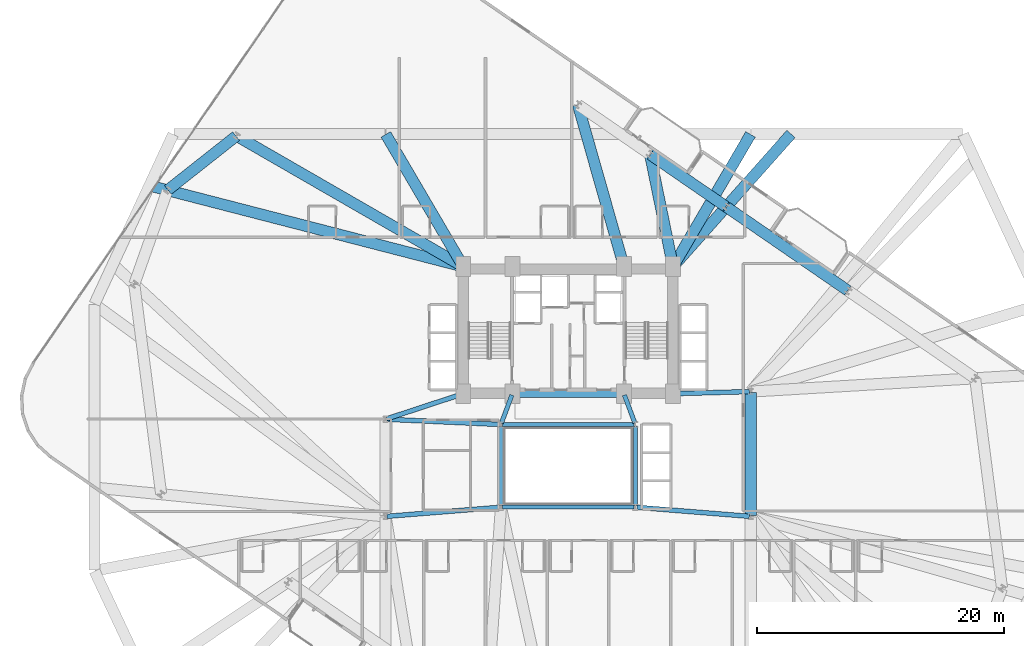
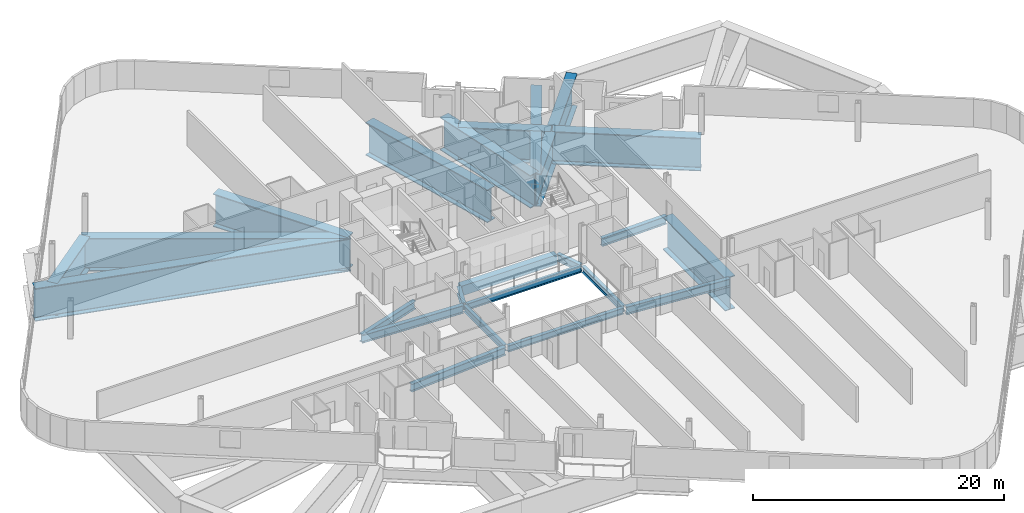
# One storey, part 5 of 26: 23 beams.
"""IFC4 building model written with IfcOpenShell, lengths in metres."""

from ifc_helpers import new_model, si_unit, direction, frame, origin, origin_2d, place, context, subcontext, project, spatial, rectangle, i_section, extrude, material, material_profile, profile_set, type_object, element, save


model = new_model("IFC4")

# Units and contexts
model_context = context("Model", 3, precision=1e-05, world=origin(), true_north=direction((0.0, 1.0)))
body_context = subcontext(model_context, "Body", "Model", "MODEL_VIEW")
ifc_project = project(units=[si_unit("LENGTHUNIT", "METRE"), si_unit("AREAUNIT", "SQUARE_METRE"), si_unit("VOLUMEUNIT", "CUBIC_METRE"), si_unit("PLANEANGLEUNIT", "RADIAN"), si_unit("MASSUNIT", "GRAM", prefix="KILO")], contexts=[model_context])

# Site, building, storey
site_placement = place(None, origin())
site = spatial("IfcSite", under=ifc_project, at=site_placement, CompositionType="ELEMENT")
building_placement = place(site_placement, origin())
building = spatial("IfcBuilding", under=site, at=building_placement, Name="Varnelok Gate Tower", CompositionType="ELEMENT")
storey_placement = place(building_placement, frame((0.0, 0.0, 27.0)))
storey = spatial("IfcBuildingStorey", under=building, at=storey_placement, Name="L05", CompositionType="ELEMENT", Elevation=27.0)

# Beams
ifc_material_1 = material(Name="Concrete C60/75", Category="concrete")
ifc_material_profile_1 = material_profile(ifc_material_1, rectangle(XDim=0.60009765625, YDim=0.949951171875, at=origin_2d()), Name="RC950X600")
ifc_profile_set_1 = profile_set([ifc_material_profile_1], Name="Concrete C60/75")
beam_type_1 = type_object("IfcBeamType", Name="BM-LNT-RC950", PredefinedType="LINTEL", material=ifc_profile_set_1)
beam_1_placement = place(storey_placement, frame((34.800048828125, 28.75, -0.72509765625), z_axis=(1.0, 0.0, 0.0), x_axis=(0.0, 1.0, 0.0)))
element("IfcBeam", 1, at=beam_1_placement, inside=storey, type_object=beam_type_1, Name="L05 Core-Atrium Spine Beam 7", PredefinedType="LINTEL", context=body_context, shape_type="SweptSolid", body=[
    extrude(rectangle(XDim=0.60009765625, YDim=0.949951171875, at=origin_2d()), origin(), (0.0, 0.0, 1.0), 8.800048828125),
])
ifc_material_2 = material(Name="Structural Steel ASTM A992 Grade 50", Category="steel")
ifc_material_profile_2 = material_profile(ifc_material_2, i_section(OverallWidth=0.35498046875, OverallDepth=0.696044921875, WebThickness=0.015380859375, FlangeThickness=0.02490234375, FilletRadius=0.02001953125, at=origin_2d()), Name="W27X146")
ifc_profile_set_2 = profile_set([ifc_material_profile_2], Name="Structural Steel ASTM A992 Grade 50")
beam_type_2 = type_object("IfcBeamType", Name="BM-PRI-W27X146", PredefinedType="BEAM", material=ifc_profile_set_2)
for number, where, z_axis, x_axis, name in (
    (2, (33.791748046875, 26.362548828125, -0.597900390625), (0.348719329408, 0.937227202602, 0.0), (-0.937227202602, 0.348719329408, 0.0), "L05 Core-Atrium Spine Beam 12"),
    (3, (44.608154296875, 26.362548828125, -0.597900390625), (-0.348719329408, 0.937227202602, 0.0), (-0.937227202602, -0.348719329408, 0.0), "L05 Core-Atrium Spine Beam 13"),
):
    element("IfcBeam", number, at=place(storey_placement, frame(where, z_axis=z_axis, x_axis=x_axis)), inside=storey, type_object=beam_type_2, Name=name, PredefinedType="BEAM", context=body_context, shape_type="SweptSolid", body=[
        extrude(i_section(OverallWidth=0.35498046875, OverallDepth=0.696044921875, WebThickness=0.015380859375, FlangeThickness=0.02490234375, FilletRadius=0.02001953125, at=origin_2d()), origin(), (0.0, 0.0, 1.0), 2.42724609375),
    ])
ifc_material_profile_3 = material_profile(ifc_material_2, i_section(OverallWidth=0.381103515625, OverallDepth=0.77294921875, WebThickness=0.0166015625, FlangeThickness=0.027099609375, FilletRadius=0.02197265625, at=origin_2d()), Name="W30X173")
ifc_profile_set_3 = profile_set([ifc_material_profile_3], Name="Structural Steel ASTM A992 Grade 50")
beam_type_3 = type_object("IfcBeamType", Name="BM-PRI-W30X173", PredefinedType="BEAM", material=ifc_profile_set_3)
beam_2_placement = place(storey_placement, frame((24.51953125, 18.8095703125, -0.636474609375), z_axis=(0.996799206292, 0.07994587128, 0.0), x_axis=(-0.07994587128, 0.996799206292, 0.0)))
element("IfcBeam", 4, at=beam_2_placement, inside=storey, type_object=beam_type_3, Name="L05 Core-Atrium Spine Beam 14", PredefinedType="BEAM", context=body_context, shape_type="SweptSolid", body=[
    extrude(i_section(OverallWidth=0.381103515625, OverallDepth=0.77294921875, WebThickness=0.0166015625, FlangeThickness=0.027099609375, FilletRadius=0.02197265625, at=origin_2d()), origin(), (0.0, 0.0, 1.0), 9.14013671875),
])
beam_3_placement = place(storey_placement, frame((24.52001953125, 26.674560546875, -0.636474609375), z_axis=(0.99894427814, -0.045938319209, 0.0), x_axis=(0.045938319209, 0.99894427814, 0.0)))
element("IfcBeam", 5, at=beam_3_placement, inside=storey, type_object=beam_type_3, Name="L05 Core-Atrium Spine Beam 15", PredefinedType="BEAM", context=body_context, shape_type="SweptSolid", body=[
    extrude(i_section(OverallWidth=0.381103515625, OverallDepth=0.77294921875, WebThickness=0.0166015625, FlangeThickness=0.027099609375, FilletRadius=0.02197265625, at=origin_2d()), origin(), (0.0, 0.0, 1.0), 9.11962890625),
])
beam_4_placement = place(storey_placement, frame((24.513916015625, 26.717529296875, -0.636474609375), z_axis=(0.950041943788, 0.312122259768, 0.0), x_axis=(-0.312122259768, 0.950041943788, 0.0)))
element("IfcBeam", 6, at=beam_4_placement, inside=storey, type_object=beam_type_3, Name="L05 Core-Atrium Spine Beam 17", PredefinedType="BEAM", context=body_context, shape_type="SweptSolid", body=[
    extrude(i_section(OverallWidth=0.381103515625, OverallDepth=0.77294921875, WebThickness=0.0166015625, FlangeThickness=0.027099609375, FilletRadius=0.02197265625, at=origin_2d()), origin(), (0.0, 0.0, 1.0), 6.391357421875),
])
beam_5_placement = place(storey_placement, frame((44.76953125, 19.540283203125, -0.636474609375), z_axis=(0.996799206292, -0.07994587128, 0.0), x_axis=(0.07994587128, 0.996799206292, 0.0)))
element("IfcBeam", 7, at=beam_5_placement, inside=storey, type_object=beam_type_3, Name="L05 Core-Atrium Spine Beam 18", PredefinedType="BEAM", context=body_context, shape_type="SweptSolid", body=[
    extrude(i_section(OverallWidth=0.381103515625, OverallDepth=0.77294921875, WebThickness=0.0166015625, FlangeThickness=0.027099609375, FilletRadius=0.02197265625, at=origin_2d()), origin(), (0.0, 0.0, 1.0), 9.14013671875),
])
beam_6_placement = place(storey_placement, frame((47.820068359375, 28.753173828125, -0.636474609375), z_axis=(0.999635880609, 0.026983443053, 0.0), x_axis=(-0.026983443053, 0.999635880609, 0.0)))
element("IfcBeam", 8, at=beam_6_placement, inside=storey, type_object=beam_type_3, Name="L05 Core-Atrium Spine Beam 19", PredefinedType="BEAM", context=body_context, shape_type="SweptSolid", body=[
    extrude(i_section(OverallWidth=0.381103515625, OverallDepth=0.77294921875, WebThickness=0.0166015625, FlangeThickness=0.027099609375, FilletRadius=0.02197265625, at=origin_2d()), origin(), (0.0, 0.0, 1.0), 6.06201171875),
])
ifc_material_profile_4 = material_profile(ifc_material_2, i_section(OverallWidth=0.323974609375, OverallDepth=0.611083984375, WebThickness=0.0126953125, FlangeThickness=0.01904296875, FilletRadius=0.01806640625, at=origin_2d()), Name="W24X104")
ifc_profile_set_4 = profile_set([ifc_material_profile_4], Name="Structural Steel ASTM A992 Grade 50")
beam_type_4 = type_object("IfcBeamType", Name="BM-SPN-W24X104", PredefinedType="SPANDREL", material=ifc_profile_set_4)
for number, where, z_axis, x_axis, name in (
    (9, (33.8701171875, 19.550048828125, -0.555419921875), (1.0, 0.0, 0.0), (0.0, 1.0, 0.0), "L05 Core-Atrium Spine Beam 8"),
    (10, (33.8701171875, 26.25, -0.555419921875), (1.0, 0.0, 0.0), (0.0, 1.0, 0.0), "L05 Core-Atrium Spine Beam 9"),
):
    element("IfcBeam", number, at=place(storey_placement, frame(where, z_axis=z_axis, x_axis=x_axis)), inside=storey, type_object=beam_type_4, Name=name, PredefinedType="SPANDREL", context=body_context, shape_type="SweptSolid", body=[
        extrude(i_section(OverallWidth=0.323974609375, OverallDepth=0.611083984375, WebThickness=0.0126953125, FlangeThickness=0.01904296875, FilletRadius=0.01806640625, at=origin_2d()), origin(), (0.0, 0.0, 1.0), 10.659912109375),
    ])
for number, where, z_axis, x_axis, name in (
    (11, (33.75, 19.669921875, -0.555419921875), (0.0, 1.0, 0.0), (-1.0, 0.0, 0.0), "L05 Core-Atrium Spine Beam 10"),
    (12, (44.64990234375, 19.669921875, -0.555419921875), (0.0, 1.0, 0.0), (-1.0, 0.0, 0.0), "L05 Core-Atrium Spine Beam 11"),
):
    element("IfcBeam", number, at=place(storey_placement, frame(where, z_axis=z_axis, x_axis=x_axis)), inside=storey, type_object=beam_type_4, Name=name, PredefinedType="SPANDREL", context=body_context, shape_type="SweptSolid", body=[
        extrude(i_section(OverallWidth=0.323974609375, OverallDepth=0.611083984375, WebThickness=0.0126953125, FlangeThickness=0.01904296875, FilletRadius=0.01806640625, at=origin_2d()), origin(), (0.0, 0.0, 1.0), 6.4599609375),
    ])
ifc_material_3 = material(Name="Structural Steel ASTM A572 Grade 50", Category="steel")
ifc_material_profile_5 = material_profile(ifc_material_3, i_section(OverallWidth=0.89990234375, OverallDepth=3.199951171875, WebThickness=0.0400390625, FlangeThickness=0.074951171875, FilletRadius=0.030029296875, at=origin_2d()), Name="PG3200X900")
ifc_profile_set_5 = profile_set([ifc_material_profile_5], Name="Structural Steel ASTM A572 Grade 50")
beam_type_5 = type_object("IfcBeamType", Name="BM-TR-PG3200", PredefinedType="BEAM", material=ifc_profile_set_5)
beam_7_placement = place(storey_placement, frame((54.0, 18.8798828125, -1.85009765625), z_axis=(0.0, 1.0, 0.0), x_axis=(-1.0, 0.0, 0.0)))
element("IfcBeam", 13, at=beam_7_placement, inside=storey, type_object=beam_type_5, Name="L05 Wing Spine Transfer Header E", PredefinedType="BEAM", context=body_context, shape_type="SweptSolid", body=[
    extrude(i_section(OverallWidth=0.89990234375, OverallDepth=3.199951171875, WebThickness=0.0400390625, FlangeThickness=0.074951171875, FilletRadius=0.030029296875, at=origin_2d()), origin(), (0.0, 0.0, 1.0), 9.960205078125),
])
for number, where, z_axis, x_axis, name in (
    (14, (47.72021484375, 39.08447265625, -1.85009765625), (0.505617263013, 0.862757893817, 0.0), (-0.862757893817, 0.505617263013, 0.0), "L05 Radial Transfer Main Girder 8"),
    (15, (30.6796875, 39.08447265625, -1.85009765625), (-0.505617263013, 0.862757893817, 0.0), (-0.862757893817, -0.505617263013, 0.0), "L05 Radial Transfer Main Girder 9"),
):
    element("IfcBeam", number, at=place(storey_placement, frame(where, z_axis=z_axis, x_axis=x_axis)), inside=storey, type_object=beam_type_5, Name=name, PredefinedType="BEAM", context=body_context, shape_type="SweptSolid", body=[
        extrude(i_section(OverallWidth=0.89990234375, OverallDepth=3.199951171875, WebThickness=0.0400390625, FlangeThickness=0.074951171875, FilletRadius=0.030029296875, at=origin_2d()), origin(), (0.0, 0.0, 1.0), 12.3798828125),
    ])
beam_8_placement = place(storey_placement, frame((47.7666015625, 39.124755859375, -1.85009765625), z_axis=(0.664520814857, 0.747269754923, 0.0), x_axis=(-0.747269754923, 0.664520814857, 0.0)))
element("IfcBeam", 16, at=beam_8_placement, inside=storey, type_object=beam_type_5, Name="L05 Column Transfer Carrier Girder 11", PredefinedType="BEAM", context=body_context, shape_type="SweptSolid", body=[
    extrude(i_section(OverallWidth=0.89990234375, OverallDepth=3.199951171875, WebThickness=0.0400390625, FlangeThickness=0.074951171875, FilletRadius=0.030029296875, at=origin_2d()), origin(), (0.0, 0.0, 1.0), 14.28564453125),
])
beam_9_placement = place(storey_placement, frame((47.679931640625, 39.14794921875, -1.85009765625), z_axis=(-0.201052971941, 0.979580370604, 0.0), x_axis=(-0.979580370604, -0.201052971941, 0.0)))
element("IfcBeam", 17, at=beam_9_placement, inside=storey, type_object=beam_type_5, Name="L05 Column Transfer Carrier Girder 12", PredefinedType="BEAM", context=body_context, shape_type="SweptSolid", body=[
    extrude(i_section(OverallWidth=0.89990234375, OverallDepth=3.199951171875, WebThickness=0.0400390625, FlangeThickness=0.074951171875, FilletRadius=0.030029296875, at=origin_2d()), origin(), (0.0, 0.0, 1.0), 10.874267578125),
])
beam_10_placement = place(storey_placement, frame((43.692626953125, 39.146240234375, -1.85009765625), z_axis=(-0.273633293749, 0.96183409201, 0.0), x_axis=(-0.96183409201, -0.273633293749, 0.0)))
element("IfcBeam", 18, at=beam_10_placement, inside=storey, type_object=beam_type_5, Name="L05 Column Transfer Carrier Girder 13", PredefinedType="BEAM", context=body_context, shape_type="SweptSolid", body=[
    extrude(i_section(OverallWidth=0.89990234375, OverallDepth=3.199951171875, WebThickness=0.0400390625, FlangeThickness=0.074951171875, FilletRadius=0.030029296875, at=origin_2d()), origin(), (0.0, 0.0, 1.0), 13.54833984375),
])
beam_11_placement = place(storey_placement, frame((30.61328125, 39.099853515625, -1.85009765625), z_axis=(-0.866368967546, 0.499404457402, 0.0), x_axis=(-0.499404457402, -0.866368967546, 0.0)))
element("IfcBeam", 19, at=beam_11_placement, inside=storey, type_object=beam_type_5, Name="L05 Column Transfer Carrier Girder 14", PredefinedType="BEAM", context=body_context, shape_type="SweptSolid", body=[
    extrude(i_section(OverallWidth=0.89990234375, OverallDepth=3.199951171875, WebThickness=0.0400390625, FlangeThickness=0.074951171875, FilletRadius=0.030029296875, at=origin_2d()), origin(), (0.0, 0.0, 1.0), 21.426025390625),
])
beam_12_placement = place(storey_placement, frame((30.603271484375, 39.074951171875, -1.85009765625), z_axis=(-0.968260722997, 0.249942337952, 0.0), x_axis=(-0.249942337952, -0.968260722997, 0.0)))
element("IfcBeam", 20, at=beam_12_placement, inside=storey, type_object=beam_type_5, Name="L05 Column Transfer Carrier Girder 15", PredefinedType="BEAM", context=body_context, shape_type="SweptSolid", body=[
    extrude(i_section(OverallWidth=0.89990234375, OverallDepth=3.199951171875, WebThickness=0.0400390625, FlangeThickness=0.074951171875, FilletRadius=0.030029296875, at=origin_2d()), origin(), (0.0, 0.0, 1.0), 26.174072265625),
])
beam_13_placement = place(storey_placement, frame((61.8583984375, 37.11083984375, -1.85009765625), z_axis=(-0.823531840328, 0.567270048536, 0.0), x_axis=(-0.567270048536, -0.823531840328, 0.0)))
element("IfcBeam", 21, at=beam_13_placement, inside=storey, type_object=beam_type_5, Name="L05 Upper Perimeter Transfer Ring 10", PredefinedType="BEAM", context=body_context, shape_type="SweptSolid", body=[
    extrude(i_section(OverallWidth=0.89990234375, OverallDepth=3.199951171875, WebThickness=0.0400390625, FlangeThickness=0.074951171875, FilletRadius=0.030029296875, at=origin_2d()), origin(), (0.0, 0.0, 1.0), 11.920166015625),
])
beam_14_placement = place(storey_placement, frame((51.97607421875, 43.918212890625, -1.85009765625), z_axis=(-0.823552004873, 0.567240773632, 0.0), x_axis=(-0.567240773632, -0.823552004873, 0.0)))
element("IfcBeam", 22, at=beam_14_placement, inside=storey, type_object=beam_type_5, Name="L05 Upper Perimeter Transfer Ring 11", PredefinedType="BEAM", context=body_context, shape_type="SweptSolid", body=[
    extrude(i_section(OverallWidth=0.89990234375, OverallDepth=3.199951171875, WebThickness=0.0400390625, FlangeThickness=0.074951171875, FilletRadius=0.030029296875, at=origin_2d()), origin(), (0.0, 0.0, 1.0), 7.420166015625),
])
beam_15_placement = place(storey_placement, frame((12.28369140625, 49.62255859375, -1.85009765625), z_axis=(-0.78483391353, -0.619706162768, 0.0), x_axis=(0.619706162768, -0.78483391353, 0.0)))
element("IfcBeam", 23, at=beam_15_placement, inside=storey, type_object=beam_type_5, Name="L05 Upper Perimeter Transfer Ring 14", PredefinedType="BEAM", context=body_context, shape_type="SweptSolid", body=[
    extrude(i_section(OverallWidth=0.89990234375, OverallDepth=3.199951171875, WebThickness=0.0400390625, FlangeThickness=0.074951171875, FilletRadius=0.030029296875, at=origin_2d()), origin(), (0.0, 0.0, 1.0), 7.0361328125),
])

save(model, "model.ifc")
